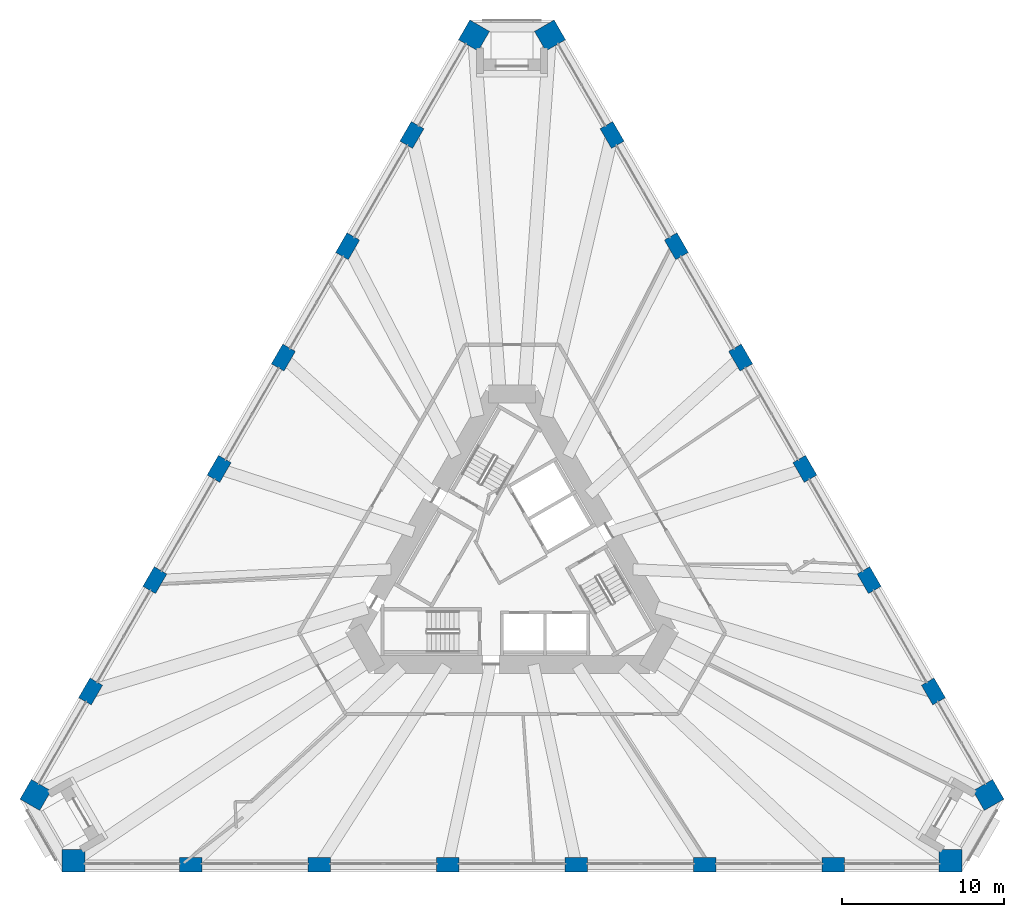
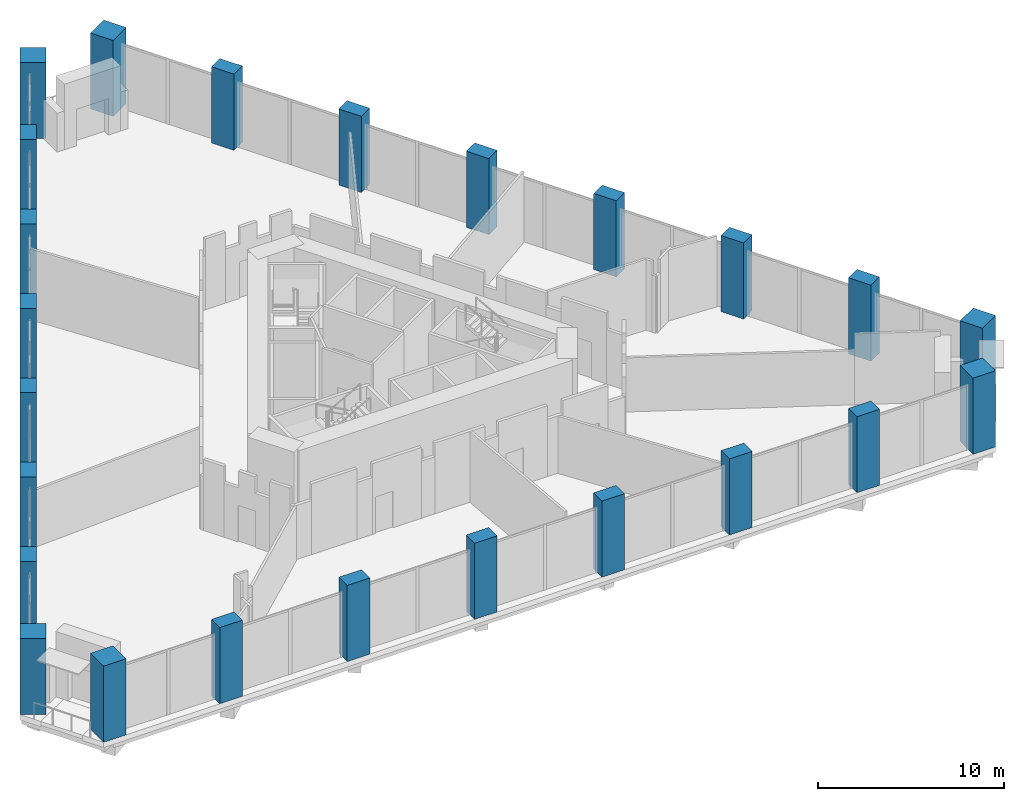
# One storey, part 1 of 20: 24 columns.
"""IFC4 building model written with IfcOpenShell, lengths in metres."""

from ifc_helpers import new_model, si_unit, direction, frame, origin, origin_2d, place, context, subcontext, project, spatial, rectangle, extrude, material, material_profile, profile_set, type_object, element, save


model = new_model("IFC4")

# Units and contexts
model_context = context("Model", 3, precision=1e-05, world=origin(), true_north=direction((0.0, 1.0)))
body_context = subcontext(model_context, "Body", "Model", "MODEL_VIEW")
ifc_project = project(units=[si_unit("LENGTHUNIT", "METRE"), si_unit("AREAUNIT", "SQUARE_METRE"), si_unit("VOLUMEUNIT", "CUBIC_METRE"), si_unit("PLANEANGLEUNIT", "RADIAN"), si_unit("MASSUNIT", "GRAM", prefix="KILO")], contexts=[model_context])

# Site, building, storey
site_placement = place(None, origin())
site = spatial("IfcSite", under=ifc_project, at=site_placement, CompositionType="ELEMENT")
building_placement = place(site_placement, origin())
building = spatial("IfcBuilding", under=site, at=building_placement, Name="Tramontana Tower", CompositionType="ELEMENT")
storey_placement = place(building_placement, frame((0.0, 0.0, 15.0)))
storey = spatial("IfcBuildingStorey", under=building, at=storey_placement, Name="L02", CompositionType="ELEMENT", Elevation=15.0)

# Columns
ifc_material_1 = material(Name="Concrete 70 MPa", Category="concrete")
ifc_material_profile_1 = material_profile(ifc_material_1, rectangle(XDim=1.39990234375, YDim=1.39990234375, at=origin_2d()), Name="Mega column 1400X1400 70 MPa")
ifc_profile_set_1 = profile_set([ifc_material_profile_1], Name="Concrete 70 MPa")
column_type_1 = type_object("IfcColumnType", Name="Mega column 1400X1400 70 MPa", PredefinedType="COLUMN", material=ifc_profile_set_1)
for number, where, z_axis, x_axis, name in (
    (1, (-2.341796875, 32.543701171875, 0.0), (0.0, 0.0, 1.0), (-0.5, -0.866025403784, 0.0), "Mega column C0K1 L02"),
    (2, (-29.354736328125, -14.243896484375, 0.0), (0.0, 0.0, 1.0), (-0.5, -0.866025403784, 0.0), "Mega column C0K2 L02"),
    (3, (-27.0126953125, -18.300048828125, 0.0), (0.0, 0.0, 1.0), (1.0, 0.0, 0.0), "Mega column C0K3 L02"),
    (4, (27.0126953125, -18.300048828125, 0.0), (0.0, 0.0, 1.0), (1.0, 0.0, 0.0), "Mega column C0K4 L02"),
    (5, (29.354736328125, -14.243896484375, 0.0), (0.0, 0.0, 1.0), (-0.5, 0.866025403784, 0.0), "Mega column C0K5 L02"),
    (6, (2.341796875, 32.543701171875, 0.0), (0.0, 0.0, 1.0), (-0.5, 0.866025403784, 0.0), "Mega column C0K6 L02"),
):
    element("IfcColumn", number, at=place(storey_placement, frame(where, z_axis=z_axis, x_axis=x_axis)), inside=storey, type_object=column_type_1, Name=name, PredefinedType="COLUMN", context=body_context, shape_type="SweptSolid", body=[
        extrude(rectangle(XDim=1.39990234375, YDim=1.39990234375, at=origin_2d()), origin(), (0.0, 0.0, 1.0), 5.0),
    ])
ifc_material_2 = material(Name="Concrete 55 MPa", Category="concrete")
ifc_material_profile_2 = material_profile(ifc_material_2, rectangle(XDim=1.39990234375, YDim=0.89990234375, at=origin_2d()), Name="Pier column 1400X900 55 MPa")
ifc_profile_set_2 = profile_set([ifc_material_profile_2], Name="Concrete 55 MPa")
column_type_2 = type_object("IfcColumnType", Name="Pier column 1400X900 55 MPa", PredefinedType="COLUMN", material=ifc_profile_set_2)
for number, where, z_axis, x_axis, name in (
    (7, (-6.167236328125, 26.41796875, 0.0), (0.0, 0.0, 1.0), (-0.5, -0.866025403784, 0.0), "Pier column C0F01 L02"),
    (8, (-10.126220703125, 19.560791015625, 0.0), (0.0, 0.0, 1.0), (-0.5, -0.866025403784, 0.0), "Pier column C0F02 L02"),
    (9, (-14.085205078125, 12.70361328125, 0.0), (0.0, 0.0, 1.0), (-0.5, -0.866025403784, 0.0), "Pier column C0F03 L02"),
    (10, (-18.044189453125, 5.846435546875, 0.0), (0.0, 0.0, 1.0), (-0.5, -0.866025403784, 0.0), "Pier column C0F04 L02"),
    (11, (-22.003173828125, -1.0107421875, 0.0), (0.0, 0.0, 1.0), (-0.5, -0.866025403784, 0.0), "Pier column C0F05 L02"),
    (12, (-25.962158203125, -7.867919921875, 0.0), (0.0, 0.0, 1.0), (-0.5, -0.866025403784, 0.0), "Pier column C0F06 L02"),
    (13, (-19.794921875, -18.550048828125, 0.0), (0.0, 0.0, 1.0), (1.0, 0.0, 0.0), "Pier column C0F07 L02"),
    (14, (-11.876953125, -18.550048828125, 0.0), (0.0, 0.0, 1.0), (1.0, 0.0, 0.0), "Pier column C0F08 L02"),
    (15, (-3.958984375, -18.550048828125, 0.0), (0.0, 0.0, 1.0), (1.0, 0.0, 0.0), "Pier column C0F09 L02"),
    (16, (3.958984375, -18.550048828125, 0.0), (0.0, 0.0, 1.0), (1.0, 0.0, 0.0), "Pier column C0F10 L02"),
    (17, (11.876953125, -18.550048828125, 0.0), (0.0, 0.0, 1.0), (1.0, 0.0, 0.0), "Pier column C0F11 L02"),
    (18, (19.794921875, -18.550048828125, 0.0), (0.0, 0.0, 1.0), (1.0, 0.0, 0.0), "Pier column C0F12 L02"),
    (19, (25.962158203125, -7.867919921875, 0.0), (0.0, 0.0, 1.0), (-0.5, 0.866025403784, 0.0), "Pier column C0F13 L02"),
    (20, (22.003173828125, -1.0107421875, 0.0), (0.0, 0.0, 1.0), (-0.5, 0.866025403784, 0.0), "Pier column C0F14 L02"),
    (21, (18.044189453125, 5.846435546875, 0.0), (0.0, 0.0, 1.0), (-0.5, 0.866025403784, 0.0), "Pier column C0F15 L02"),
    (22, (14.085205078125, 12.70361328125, 0.0), (0.0, 0.0, 1.0), (-0.5, 0.866025403784, 0.0), "Pier column C0F16 L02"),
    (23, (10.126220703125, 19.560791015625, 0.0), (0.0, 0.0, 1.0), (-0.5, 0.866025403784, 0.0), "Pier column C0F17 L02"),
    (24, (6.167236328125, 26.41796875, 0.0), (0.0, 0.0, 1.0), (-0.5, 0.866025403784, 0.0), "Pier column C0F18 L02"),
):
    element("IfcColumn", number, at=place(storey_placement, frame(where, z_axis=z_axis, x_axis=x_axis)), inside=storey, type_object=column_type_2, Name=name, PredefinedType="COLUMN", context=body_context, shape_type="SweptSolid", body=[
        extrude(rectangle(XDim=1.39990234375, YDim=0.89990234375, at=origin_2d()), origin(), (0.0, 0.0, 1.0), 5.0),
    ])

save(model, "model.ifc")
